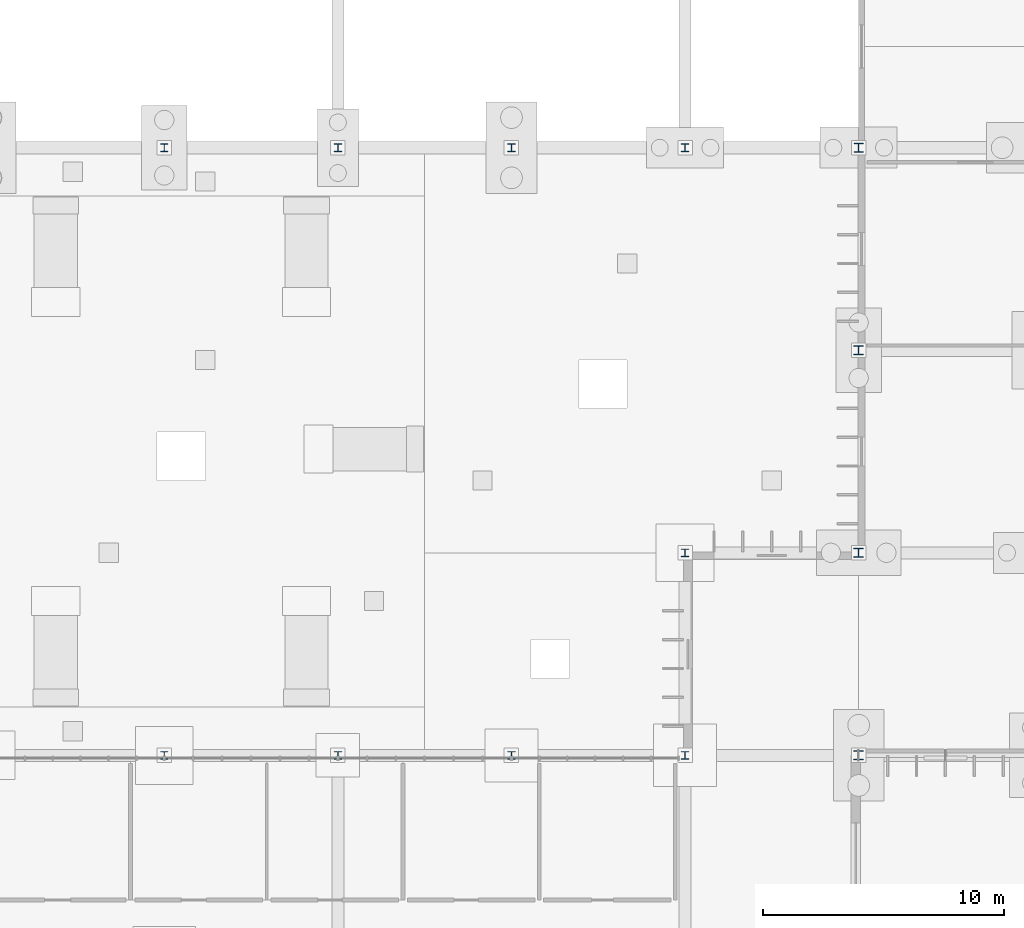
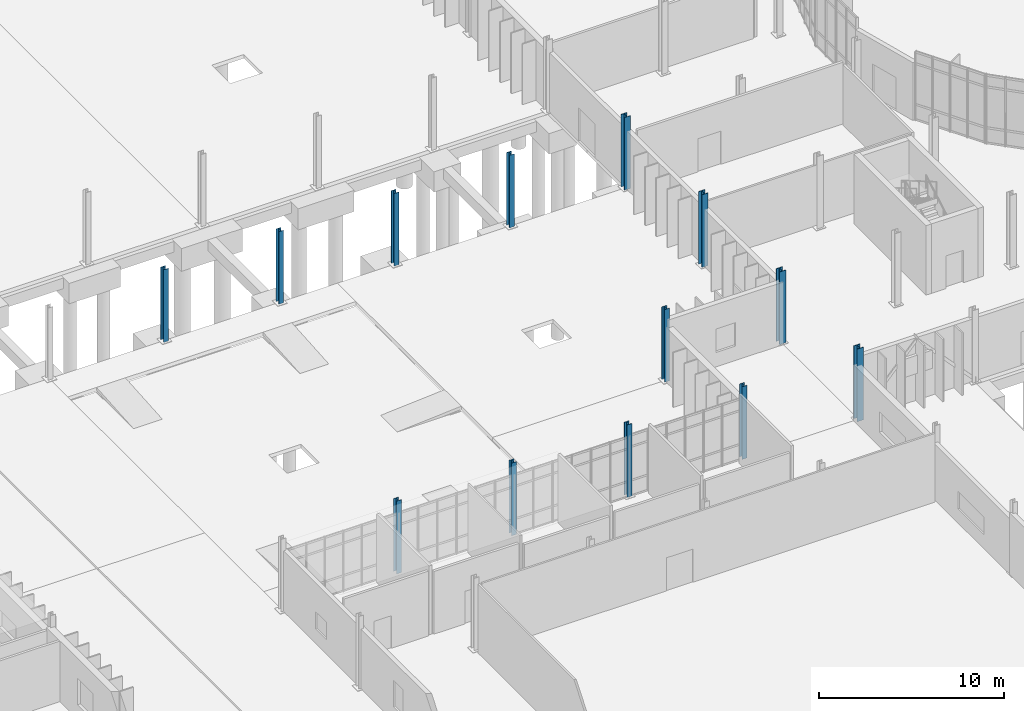
# One storey, part 15 of 118: 13 columns.
"""IFC4 building model written with IfcOpenShell, lengths in metres."""

from ifc_helpers import new_model, si_unit, direction, frame, origin, origin_2d, place, context, subcontext, project, spatial, i_section, extrude, material, material_profile, profile_set, type_object, element, save


model = new_model("IFC4")

# Units and contexts
model_context = context("Model", 3, precision=1e-05, world=origin(), true_north=direction((0.0, 1.0)))
body_context = subcontext(model_context, "Body", "Model", "MODEL_VIEW")
ifc_project = project(units=[si_unit("LENGTHUNIT", "METRE"), si_unit("AREAUNIT", "SQUARE_METRE"), si_unit("VOLUMEUNIT", "CUBIC_METRE"), si_unit("PLANEANGLEUNIT", "RADIAN"), si_unit("MASSUNIT", "GRAM", prefix="KILO")], contexts=[model_context])

# Site, building, storey
site_placement = place(None, origin())
site = spatial("IfcSite", under=ifc_project, at=site_placement, CompositionType="ELEMENT")
building_placement = place(site_placement, origin())
building = spatial("IfcBuilding", under=site, at=building_placement, Name="Qelthora Terrace Specialist Clinic", CompositionType="ELEMENT")
storey_placement = place(building_placement, origin())
storey = spatial("IfcBuildingStorey", under=building, at=storey_placement, Name="L00", CompositionType="ELEMENT", Elevation=0.0)

# Columns
ifc_material = material(Name="Steel S355", Category="steel")
ifc_material_profile_1 = material_profile(ifc_material, i_section(OverallWidth=0.305908203125, OverallDepth=0.31103515625, WebThickness=0.010986328125, FlangeThickness=0.01708984375, FilletRadius=0.014892578125, at=origin_2d()), Name="W310X107")
ifc_profile_set_1 = profile_set([ifc_material_profile_1], Name="Steel S355")
column_type_1 = type_object("IfcColumnType", Name="COL-W310X107", PredefinedType="COLUMN", material=ifc_profile_set_1)
column_1_placement = place(storey_placement, frame((72.0, 33.60009765625, 0.0), z_axis=(0.0, 0.0, 1.0), x_axis=(1.0, 0.0, 0.0)))
element("IfcColumn", 1, at=column_1_placement, inside=storey, type_object=column_type_1, Name="Column L00-124", PredefinedType="COLUMN", context=body_context, shape_type="SweptSolid", body=[
    extrude(i_section(OverallWidth=0.305908203125, OverallDepth=0.31103515625, WebThickness=0.010986328125, FlangeThickness=0.01708984375, FilletRadius=0.014892578125, at=origin_2d()), origin(), (0.0, 0.0, 1.0), 4.800048828125),
])
ifc_material_profile_2 = material_profile(ifc_material, i_section(OverallWidth=0.306884765625, OverallDepth=0.31396484375, WebThickness=0.011962890625, FlangeThickness=0.018798828125, FilletRadius=0.01611328125, at=origin_2d()), Name="W310X118")
ifc_profile_set_2 = profile_set([ifc_material_profile_2], Name="Steel S355")
column_type_2 = type_object("IfcColumnType", Name="COL-W310X118", PredefinedType="COLUMN", material=ifc_profile_set_2)
for number, where, z_axis, x_axis, name in (
    (2, (79.199951171875, 33.60009765625, 0.0), (0.0, 0.0, 1.0), (1.0, 0.0, 0.0), "Column L00-132"),
    (3, (86.39990234375, 42.0, 0.0), (0.0, 0.0, 1.0), (1.0, 0.0, 0.0), "Column L00-141"),
):
    element("IfcColumn", number, at=place(storey_placement, frame(where, z_axis=z_axis, x_axis=x_axis)), inside=storey, type_object=column_type_2, Name=name, PredefinedType="COLUMN", context=body_context, shape_type="SweptSolid", body=[
        extrude(i_section(OverallWidth=0.306884765625, OverallDepth=0.31396484375, WebThickness=0.011962890625, FlangeThickness=0.018798828125, FilletRadius=0.01611328125, at=origin_2d()), origin(), (0.0, 0.0, 1.0), 4.800048828125),
    ])
ifc_material_profile_3 = material_profile(ifc_material, i_section(OverallWidth=0.30810546875, OverallDepth=0.318115234375, WebThickness=0.01318359375, FlangeThickness=0.0205078125, FilletRadius=0.01611328125, at=origin_2d()), Name="W310X129")
ifc_profile_set_3 = profile_set([ifc_material_profile_3], Name="Steel S355")
column_type_3 = type_object("IfcColumnType", Name="COL-W310X129", PredefinedType="COLUMN", material=ifc_profile_set_3)
for number, where, z_axis, x_axis, name in (
    (4, (64.800048828125, 58.800048828125, 0.0), (0.0, 0.0, 1.0), (1.0, 0.0, 0.0), "Column L00-117"),
    (5, (72.0, 58.800048828125, 0.0), (0.0, 0.0, 1.0), (1.0, 0.0, 0.0), "Column L00-125"),
    (6, (79.199951171875, 58.800048828125, 0.0), (0.0, 0.0, 1.0), (1.0, 0.0, 0.0), "Column L00-133"),
):
    element("IfcColumn", number, at=place(storey_placement, frame(where, z_axis=z_axis, x_axis=x_axis)), inside=storey, type_object=column_type_3, Name=name, PredefinedType="COLUMN", context=body_context, shape_type="SweptSolid", body=[
        extrude(i_section(OverallWidth=0.30810546875, OverallDepth=0.318115234375, WebThickness=0.01318359375, FlangeThickness=0.0205078125, FilletRadius=0.01611328125, at=origin_2d()), origin(), (0.0, 0.0, 1.0), 4.800048828125),
    ])
ifc_material_profile_4 = material_profile(ifc_material, i_section(OverallWidth=0.30908203125, OverallDepth=0.322998046875, WebThickness=0.013916015625, FlangeThickness=0.02294921875, FilletRadius=0.01611328125, at=origin_2d()), Name="W310X143")
ifc_profile_set_4 = profile_set([ifc_material_profile_4], Name="Steel S355")
column_type_4 = type_object("IfcColumnType", Name="COL-W310X143", PredefinedType="COLUMN", material=ifc_profile_set_4)
column_2_placement = place(storey_placement, frame((86.39990234375, 58.800048828125, 0.0), z_axis=(0.0, 0.0, 1.0), x_axis=(1.0, 0.0, 0.0)))
element("IfcColumn", 7, at=column_2_placement, inside=storey, type_object=column_type_4, Name="Column L00-142", PredefinedType="COLUMN", context=body_context, shape_type="SweptSolid", body=[
    extrude(i_section(OverallWidth=0.30908203125, OverallDepth=0.322998046875, WebThickness=0.013916015625, FlangeThickness=0.02294921875, FilletRadius=0.01611328125, at=origin_2d()), origin(), (0.0, 0.0, 1.0), 4.800048828125),
])
ifc_material_profile_5 = material_profile(ifc_material, i_section(OverallWidth=0.304931640625, OverallDepth=0.30810546875, WebThickness=0.010009765625, FlangeThickness=0.015380859375, FilletRadius=0.014892578125, at=origin_2d()), Name="W310X97")
ifc_profile_set_5 = profile_set([ifc_material_profile_5], Name="Steel S355")
column_type_5 = type_object("IfcColumnType", Name="COL-W310X97", PredefinedType="COLUMN", material=ifc_profile_set_5)
for number, where, z_axis, x_axis, name in (
    (8, (64.800048828125, 33.60009765625, 0.0), (0.0, 0.0, 1.0), (1.0, 0.0, 0.0), "Column L00-116"),
    (9, (86.39990234375, 33.60009765625, 0.0), (0.0, 0.0, 1.0), (1.0, 0.0, 0.0), "Column L00-140"),
):
    element("IfcColumn", number, at=place(storey_placement, frame(where, z_axis=z_axis, x_axis=x_axis)), inside=storey, type_object=column_type_5, Name=name, PredefinedType="COLUMN", context=body_context, shape_type="SweptSolid", body=[
        extrude(i_section(OverallWidth=0.304931640625, OverallDepth=0.30810546875, WebThickness=0.010009765625, FlangeThickness=0.015380859375, FilletRadius=0.014892578125, at=origin_2d()), origin(), (0.0, 0.0, 1.0), 4.800048828125),
    ])
ifc_material_profile_6 = material_profile(ifc_material, i_section(OverallWidth=0.373046875, OverallDepth=0.367919921875, WebThickness=0.014892578125, FlangeThickness=0.02392578125, FilletRadius=0.02001953125, at=origin_2d()), Name="W360X179")
ifc_profile_set_6 = profile_set([ifc_material_profile_6], Name="Steel S355")
column_type_6 = type_object("IfcColumnType", Name="COL-W360X179", PredefinedType="COLUMN", material=ifc_profile_set_6)
column_3_placement = place(storey_placement, frame((93.60009765625, 58.800048828125, 0.0), z_axis=(0.0, 0.0, 1.0), x_axis=(1.0, 0.0, 0.0)))
element("IfcColumn", 10, at=column_3_placement, inside=storey, type_object=column_type_6, Name="Column L00-154", PredefinedType="COLUMN", context=body_context, shape_type="SweptSolid", body=[
    extrude(i_section(OverallWidth=0.373046875, OverallDepth=0.367919921875, WebThickness=0.014892578125, FlangeThickness=0.02392578125, FilletRadius=0.02001953125, at=origin_2d()), origin(), (0.0, 0.0, 1.0), 4.800048828125),
])
ifc_material_profile_7 = material_profile(ifc_material, i_section(OverallWidth=0.39404296875, OverallDepth=0.375, WebThickness=0.017333984375, FlangeThickness=0.027587890625, FilletRadius=0.02001953125, at=origin_2d()), Name="W360X216")
ifc_profile_set_7 = profile_set([ifc_material_profile_7], Name="Steel S355")
column_type_7 = type_object("IfcColumnType", Name="COL-W360X216", PredefinedType="COLUMN", material=ifc_profile_set_7)
for number, where, z_axis, x_axis, name in (
    (11, (93.60009765625, 33.60009765625, 0.0), (0.0, 0.0, 1.0), (1.0, 0.0, 0.0), "Column L00-151"),
    (12, (93.60009765625, 50.39990234375, 0.0), (0.0, 0.0, 1.0), (1.0, 0.0, 0.0), "Column L00-153"),
):
    element("IfcColumn", number, at=place(storey_placement, frame(where, z_axis=z_axis, x_axis=x_axis)), inside=storey, type_object=column_type_7, Name=name, PredefinedType="COLUMN", context=body_context, shape_type="SweptSolid", body=[
        extrude(i_section(OverallWidth=0.39404296875, OverallDepth=0.375, WebThickness=0.017333984375, FlangeThickness=0.027587890625, FilletRadius=0.02001953125, at=origin_2d()), origin(), (0.0, 0.0, 1.0), 4.800048828125),
    ])
ifc_material_profile_8 = material_profile(ifc_material, i_section(OverallWidth=0.39501953125, OverallDepth=0.3798828125, WebThickness=0.018798828125, FlangeThickness=0.0302734375, FilletRadius=0.02001953125, at=origin_2d()), Name="W360X237")
ifc_profile_set_8 = profile_set([ifc_material_profile_8], Name="Steel S355")
column_type_8 = type_object("IfcColumnType", Name="COL-W360X237", PredefinedType="COLUMN", material=ifc_profile_set_8)
column_4_placement = place(storey_placement, frame((93.60009765625, 42.0, 0.0), z_axis=(0.0, 0.0, 1.0), x_axis=(1.0, 0.0, 0.0)))
element("IfcColumn", 13, at=column_4_placement, inside=storey, type_object=column_type_8, Name="Column L00-152", PredefinedType="COLUMN", context=body_context, shape_type="SweptSolid", body=[
    extrude(i_section(OverallWidth=0.39501953125, OverallDepth=0.3798828125, WebThickness=0.018798828125, FlangeThickness=0.0302734375, FilletRadius=0.02001953125, at=origin_2d()), origin(), (0.0, 0.0, 1.0), 4.800048828125),
])

save(model, "model.ifc")
